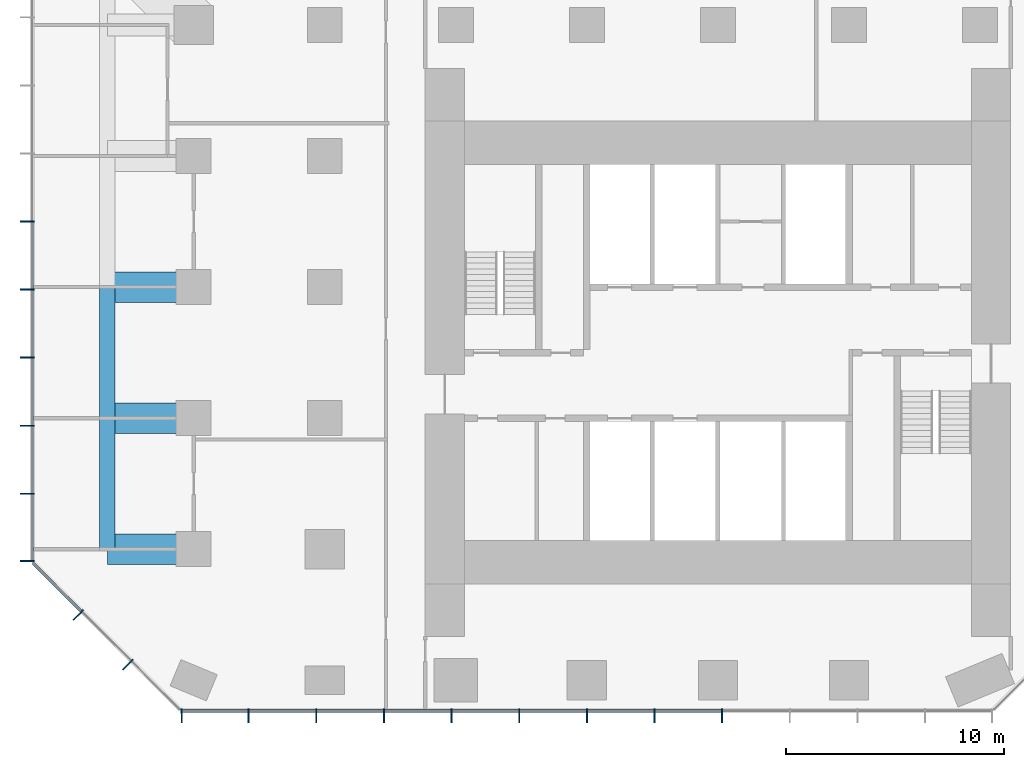
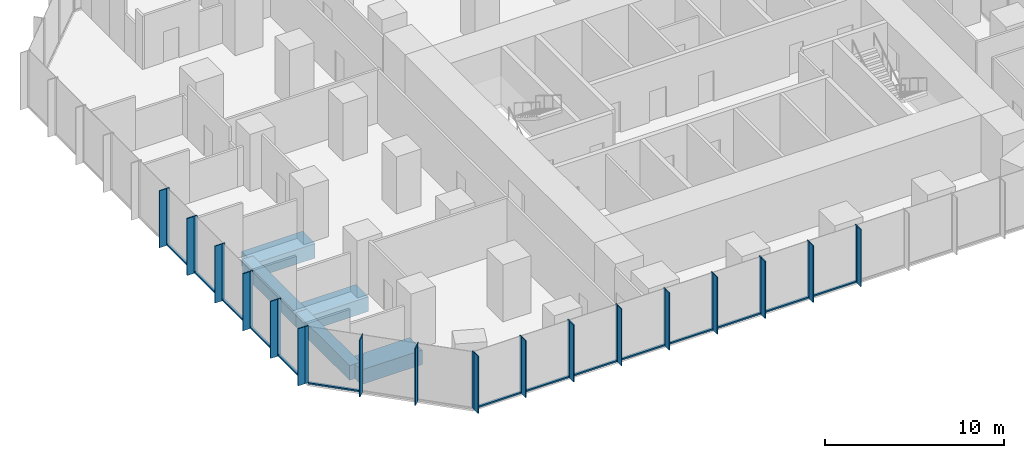
# One storey, part 2 of 11: 48 members, 5 beams, 3 elements without a shape of their own.
"""IFC4 building model written with IfcOpenShell, lengths in metres."""

from ifc_helpers import new_model, si_unit, direction, frame, origin, origin_2d, place, context, subcontext, project, spatial, rectangle, extrude, material, layer, layer_set, material_profile, profile_set, type_object, element, aggregate, save


model = new_model("IFC4")

# Units and contexts
model_context = context("Model", 3, precision=1e-05, world=origin(), true_north=direction((0.0, 1.0)))
body_context = subcontext(model_context, "Body", "Model", "MODEL_VIEW")
ifc_project = project(units=[si_unit("LENGTHUNIT", "METRE"), si_unit("AREAUNIT", "SQUARE_METRE"), si_unit("VOLUMEUNIT", "CUBIC_METRE"), si_unit("PLANEANGLEUNIT", "RADIAN"), si_unit("MASSUNIT", "GRAM", prefix="KILO")], contexts=[model_context])

# Site, building, storey
site_placement = place(None, origin())
site = spatial("IfcSite", under=ifc_project, at=site_placement, CompositionType="ELEMENT")
building_placement = place(site_placement, origin())
building = spatial("IfcBuilding", under=site, at=building_placement, Name="Highveld Stack Headquarters", CompositionType="ELEMENT")
storey_placement = place(building_placement, frame((0.0, 0.0, 105.5)))
storey = spatial("IfcBuildingStorey", under=building, at=storey_placement, Name="L25", CompositionType="ELEMENT", Elevation=105.5)

# Beams
ifc_material_1 = material(Name="Concrete C60/75", Category="concrete")
ifc_material_profile_1 = material_profile(ifc_material_1, rectangle(XDim=1.39990234375, YDim=1.0, at=origin_2d()), Name="RC 1400x1000")
ifc_profile_set_1 = profile_set([ifc_material_profile_1], Name="Concrete C60/75")
beam_type_1 = type_object("IfcBeamType", Name="CANTILEVER RIB RC 1400x1000", PredefinedType="USERDEFINED", material=ifc_profile_set_1)
for number, where, z_axis, x_axis, name in (
    (1, (-18.0, -6.0, -0.75), (-1.0, 0.0, 0.0), (0.0, -1.0, 0.0), "Cantilever rib 3/D L25"),
    (2, (-18.0, 0.0, -0.75), (-1.0, 0.0, 0.0), (0.0, -1.0, 0.0), "Cantilever rib 3/E L25"),
    (3, (-18.0, 6.0, -0.75), (-1.0, 0.0, 0.0), (0.0, -1.0, 0.0), "Cantilever rib 3/F L25"),
):
    element("IfcBeam", number, at=place(storey_placement, frame(where, z_axis=z_axis, x_axis=x_axis)), inside=storey, type_object=beam_type_1, Name=name, ObjectType="CANTILEVER RIB", PredefinedType="USERDEFINED", context=body_context, shape_type="SweptSolid", body=[
        extrude(rectangle(XDim=1.39990234375, YDim=1.0, at=origin_2d()), origin(), (0.0, 0.0, 1.0), 3.949951171875),
    ])

# Curtain wall, members
ifc_material_2 = material(Name="Aluminium bronze anodised", Category="aluminium")
ifc_layer_1 = layer(ifc_material_2, 0.199951171875)
ifc_layer_set_1 = layer_set([ifc_layer_1], Name="Aluminium bronze anodised")
curtain_wall_type_1 = type_object("IfcCurtainWallType", Name="CW1 TOWER UNITISED CURTAIN WALL", PredefinedType="NOTDEFINED", material=ifc_layer_set_1)
curtain_wall_1_placement = place(storey_placement, origin())
curtain_wall_1 = element("IfcCurtainWall", 4, at=curtain_wall_1_placement, inside=storey, type_object=curtain_wall_type_1, Name="Curtain wall CW1 L25 S", PredefinedType="NOTDEFINED")
ifc_material_3 = material(Name="Aluminium bronze anodised", Category="aluminium")
ifc_material_profile_2 = material_profile(ifc_material_3, rectangle(XDim=0.449951171875, YDim=0.06005859375, at=origin_2d()), Name="FIN 450x60")
ifc_profile_set_2 = profile_set([ifc_material_profile_2], Name="Aluminium bronze anodised")
member_type_1 = type_object("IfcMemberType", Name="CW1 BRONZE FIN 450x60", PredefinedType="USERDEFINED", material=ifc_profile_set_2)
member_1_placement = place(storey_placement, frame((-18.54736328125, -13.72509765625, 0.0), z_axis=(0.0, 0.0, 1.0), x_axis=(0.0, 1.0, 0.0)))
member_1 = element("IfcMember", 5, at=member_1_placement, type_object=member_type_1, Name="CW1 fin L25 1", ObjectType="FIN", PredefinedType="USERDEFINED", context=body_context, shape_type="SweptSolid", body=[
    extrude(rectangle(XDim=0.449951171875, YDim=0.06005859375, at=origin_2d()), origin(), (0.0, 0.0, 1.0), 3.89990234375),
])
member_2_placement = place(storey_placement, frame((-15.483154296875, -13.72509765625, 0.0), z_axis=(0.0, 0.0, 1.0), x_axis=(0.0, 1.0, 0.0)))
member_2 = element("IfcMember", 6, at=member_2_placement, type_object=member_type_1, Name="CW1 fin L25 2", ObjectType="FIN", PredefinedType="USERDEFINED", context=body_context, shape_type="SweptSolid", body=[
    extrude(rectangle(XDim=0.449951171875, YDim=0.06005859375, at=origin_2d()), origin(), (0.0, 0.0, 1.0), 3.89990234375),
])
member_3_placement = place(storey_placement, frame((-12.38671875, -13.72509765625, 0.0), z_axis=(0.0, 0.0, 1.0), x_axis=(0.0, 1.0, 0.0)))
member_3 = element("IfcMember", 7, at=member_3_placement, type_object=member_type_1, Name="CW1 fin L25 3", ObjectType="FIN", PredefinedType="USERDEFINED", context=body_context, shape_type="SweptSolid", body=[
    extrude(rectangle(XDim=0.449951171875, YDim=0.06005859375, at=origin_2d()), origin(), (0.0, 0.0, 1.0), 3.89990234375),
])
member_4_placement = place(storey_placement, frame((-9.289794921875, -13.72509765625, 0.0), z_axis=(0.0, 0.0, 1.0), x_axis=(0.0, 1.0, 0.0)))
member_4 = element("IfcMember", 8, at=member_4_placement, type_object=member_type_1, Name="CW1 fin L25 4", ObjectType="FIN", PredefinedType="USERDEFINED", context=body_context, shape_type="SweptSolid", body=[
    extrude(rectangle(XDim=0.449951171875, YDim=0.06005859375, at=origin_2d()), origin(), (0.0, 0.0, 1.0), 3.89990234375),
])
member_5_placement = place(storey_placement, frame((-6.193359375, -13.72509765625, 0.0), z_axis=(0.0, 0.0, 1.0), x_axis=(0.0, 1.0, 0.0)))
member_5 = element("IfcMember", 9, at=member_5_placement, type_object=member_type_1, Name="CW1 fin L25 5", ObjectType="FIN", PredefinedType="USERDEFINED", context=body_context, shape_type="SweptSolid", body=[
    extrude(rectangle(XDim=0.449951171875, YDim=0.06005859375, at=origin_2d()), origin(), (0.0, 0.0, 1.0), 3.89990234375),
])
member_6_placement = place(storey_placement, frame((-3.0966796875, -13.72509765625, 0.0), z_axis=(0.0, 0.0, 1.0), x_axis=(0.0, 1.0, 0.0)))
member_6 = element("IfcMember", 10, at=member_6_placement, type_object=member_type_1, Name="CW1 fin L25 6", ObjectType="FIN", PredefinedType="USERDEFINED", context=body_context, shape_type="SweptSolid", body=[
    extrude(rectangle(XDim=0.449951171875, YDim=0.06005859375, at=origin_2d()), origin(), (0.0, 0.0, 1.0), 3.89990234375),
])
member_7_placement = place(storey_placement, frame((0.0, -13.72509765625, 0.0), z_axis=(0.0, 0.0, 1.0), x_axis=(0.0, 1.0, 0.0)))
member_7 = element("IfcMember", 11, at=member_7_placement, type_object=member_type_1, Name="CW1 fin L25 7", ObjectType="FIN", PredefinedType="USERDEFINED", context=body_context, shape_type="SweptSolid", body=[
    extrude(rectangle(XDim=0.449951171875, YDim=0.06005859375, at=origin_2d()), origin(), (0.0, 0.0, 1.0), 3.89990234375),
])
member_8_placement = place(storey_placement, frame((3.0966796875, -13.72509765625, 0.0), z_axis=(0.0, 0.0, 1.0), x_axis=(0.0, 1.0, 0.0)))
member_8 = element("IfcMember", 12, at=member_8_placement, type_object=member_type_1, Name="CW1 fin L25 8", ObjectType="FIN", PredefinedType="USERDEFINED", context=body_context, shape_type="SweptSolid", body=[
    extrude(rectangle(XDim=0.449951171875, YDim=0.06005859375, at=origin_2d()), origin(), (0.0, 0.0, 1.0), 3.89990234375),
])
member_9_placement = place(storey_placement, frame((6.193359375, -13.72509765625, 0.0), z_axis=(0.0, 0.0, 1.0), x_axis=(0.0, 1.0, 0.0)))
member_9 = element("IfcMember", 13, at=member_9_placement, type_object=member_type_1, Name="CW1 fin L25 9", ObjectType="FIN", PredefinedType="USERDEFINED", context=body_context, shape_type="SweptSolid", body=[
    extrude(rectangle(XDim=0.449951171875, YDim=0.06005859375, at=origin_2d()), origin(), (0.0, 0.0, 1.0), 3.89990234375),
])

curtain_wall_2_placement = place(storey_placement, origin())
curtain_wall_2 = element("IfcCurtainWall", 14, at=curtain_wall_2_placement, inside=storey, type_object=curtain_wall_type_1, Name="Curtain wall CW1 L25 W", PredefinedType="NOTDEFINED")
member_10_placement = place(storey_placement, frame((-25.72509765625, 9.0, 0.0), z_axis=(0.0, 0.0, 1.0), x_axis=(1.0, 0.0, 0.0)))
member_10 = element("IfcMember", 15, at=member_10_placement, type_object=member_type_1, Name="CW1 fin L25 6", ObjectType="FIN", PredefinedType="USERDEFINED", context=body_context, shape_type="SweptSolid", body=[
    extrude(rectangle(XDim=0.449951171875, YDim=0.06005859375, at=origin_2d()), origin(), (0.0, 0.0, 1.0), 3.89990234375),
])
member_11_placement = place(storey_placement, frame((-25.72509765625, 5.884033203125, 0.0), z_axis=(0.0, 0.0, 1.0), x_axis=(1.0, 0.0, 0.0)))
member_11 = element("IfcMember", 16, at=member_11_placement, type_object=member_type_1, Name="CW1 fin L25 7", ObjectType="FIN", PredefinedType="USERDEFINED", context=body_context, shape_type="SweptSolid", body=[
    extrude(rectangle(XDim=0.449951171875, YDim=0.06005859375, at=origin_2d()), origin(), (0.0, 0.0, 1.0), 3.89990234375),
])
member_12_placement = place(storey_placement, frame((-25.72509765625, 2.76806640625, 0.0), z_axis=(0.0, 0.0, 1.0), x_axis=(1.0, 0.0, 0.0)))
member_12 = element("IfcMember", 17, at=member_12_placement, type_object=member_type_1, Name="CW1 fin L25 8", ObjectType="FIN", PredefinedType="USERDEFINED", context=body_context, shape_type="SweptSolid", body=[
    extrude(rectangle(XDim=0.449951171875, YDim=0.06005859375, at=origin_2d()), origin(), (0.0, 0.0, 1.0), 3.89990234375),
])
member_13_placement = place(storey_placement, frame((-25.72509765625, -0.347900390625, 0.0), z_axis=(0.0, 0.0, 1.0), x_axis=(1.0, 0.0, 0.0)))
member_13 = element("IfcMember", 18, at=member_13_placement, type_object=member_type_1, Name="CW1 fin L25 9", ObjectType="FIN", PredefinedType="USERDEFINED", context=body_context, shape_type="SweptSolid", body=[
    extrude(rectangle(XDim=0.449951171875, YDim=0.06005859375, at=origin_2d()), origin(), (0.0, 0.0, 1.0), 3.89990234375),
])
member_14_placement = place(storey_placement, frame((-25.72509765625, -3.4638671875, 0.0), z_axis=(0.0, 0.0, 1.0), x_axis=(1.0, 0.0, 0.0)))
member_14 = element("IfcMember", 19, at=member_14_placement, type_object=member_type_1, Name="CW1 fin L25 10", ObjectType="FIN", PredefinedType="USERDEFINED", context=body_context, shape_type="SweptSolid", body=[
    extrude(rectangle(XDim=0.449951171875, YDim=0.06005859375, at=origin_2d()), origin(), (0.0, 0.0, 1.0), 3.89990234375),
])
member_15_placement = place(storey_placement, frame((-25.72509765625, -6.54736328125, 0.0), z_axis=(0.0, 0.0, 1.0), x_axis=(1.0, 0.0, 0.0)))
member_15 = element("IfcMember", 20, at=member_15_placement, type_object=member_type_1, Name="CW1 fin L25 11", ObjectType="FIN", PredefinedType="USERDEFINED", context=body_context, shape_type="SweptSolid", body=[
    extrude(rectangle(XDim=0.449951171875, YDim=0.06005859375, at=origin_2d()), origin(), (0.0, 0.0, 1.0), 3.89990234375),
])

# Member
ifc_material_4 = material(Name="Aluminium bronze anodised", Category="aluminium")
ifc_material_profile_3 = material_profile(ifc_material_4, rectangle(XDim=0.199951171875, YDim=0.06494140625, at=origin_2d()), Name="CW1 MULLION 65x200")
ifc_profile_set_3 = profile_set([ifc_material_profile_3], Name="Aluminium bronze anodised")
member_type_2 = type_object("IfcMemberType", Name="CW1 MULLION 65x200", PredefinedType="MULLION", material=ifc_profile_set_3)
member_16_placement = place(storey_placement, frame((-18.54736328125, -13.39990234375, 0.0), z_axis=(0.0, 0.0, 1.0), x_axis=(0.0, 1.0, 0.0)))
member_16 = element("IfcMember", 21, at=member_16_placement, type_object=member_type_2, Name="CW1 mullion L25 1", PredefinedType="MULLION", context=body_context, shape_type="SweptSolid", body=[
    extrude(rectangle(XDim=0.199951171875, YDim=0.06494140625, at=origin_2d()), origin(), (0.0, 0.0, 1.0), 3.89990234375),
])

member_17_placement = place(storey_placement, frame((-15.483154296875, -13.39990234375, 0.0), z_axis=(0.0, 0.0, 1.0), x_axis=(0.0, 1.0, 0.0)))
member_17 = element("IfcMember", 22, at=member_17_placement, type_object=member_type_2, Name="CW1 mullion L25 2", PredefinedType="MULLION", context=body_context, shape_type="SweptSolid", body=[
    extrude(rectangle(XDim=0.199951171875, YDim=0.06494140625, at=origin_2d()), origin(), (0.0, 0.0, 1.0), 3.89990234375),
])

member_18_placement = place(storey_placement, frame((-12.38671875, -13.39990234375, 0.0), z_axis=(0.0, 0.0, 1.0), x_axis=(0.0, 1.0, 0.0)))
member_18 = element("IfcMember", 23, at=member_18_placement, type_object=member_type_2, Name="CW1 mullion L25 3", PredefinedType="MULLION", context=body_context, shape_type="SweptSolid", body=[
    extrude(rectangle(XDim=0.199951171875, YDim=0.06494140625, at=origin_2d()), origin(), (0.0, 0.0, 1.0), 3.89990234375),
])

member_19_placement = place(storey_placement, frame((-9.289794921875, -13.39990234375, 0.0), z_axis=(0.0, 0.0, 1.0), x_axis=(0.0, 1.0, 0.0)))
member_19 = element("IfcMember", 24, at=member_19_placement, type_object=member_type_2, Name="CW1 mullion L25 4", PredefinedType="MULLION", context=body_context, shape_type="SweptSolid", body=[
    extrude(rectangle(XDim=0.199951171875, YDim=0.06494140625, at=origin_2d()), origin(), (0.0, 0.0, 1.0), 3.89990234375),
])

member_20_placement = place(storey_placement, frame((-6.193359375, -13.39990234375, 0.0), z_axis=(0.0, 0.0, 1.0), x_axis=(0.0, 1.0, 0.0)))
member_20 = element("IfcMember", 25, at=member_20_placement, type_object=member_type_2, Name="CW1 mullion L25 5", PredefinedType="MULLION", context=body_context, shape_type="SweptSolid", body=[
    extrude(rectangle(XDim=0.199951171875, YDim=0.06494140625, at=origin_2d()), origin(), (0.0, 0.0, 1.0), 3.89990234375),
])

member_21_placement = place(storey_placement, frame((-3.0966796875, -13.39990234375, 0.0), z_axis=(0.0, 0.0, 1.0), x_axis=(0.0, 1.0, 0.0)))
member_21 = element("IfcMember", 26, at=member_21_placement, type_object=member_type_2, Name="CW1 mullion L25 6", PredefinedType="MULLION", context=body_context, shape_type="SweptSolid", body=[
    extrude(rectangle(XDim=0.199951171875, YDim=0.06494140625, at=origin_2d()), origin(), (0.0, 0.0, 1.0), 3.89990234375),
])

member_22_placement = place(storey_placement, frame((0.0, -13.39990234375, 0.0), z_axis=(0.0, 0.0, 1.0), x_axis=(0.0, 1.0, 0.0)))
member_22 = element("IfcMember", 27, at=member_22_placement, type_object=member_type_2, Name="CW1 mullion L25 7", PredefinedType="MULLION", context=body_context, shape_type="SweptSolid", body=[
    extrude(rectangle(XDim=0.199951171875, YDim=0.06494140625, at=origin_2d()), origin(), (0.0, 0.0, 1.0), 3.89990234375),
])

member_23_placement = place(storey_placement, frame((3.0966796875, -13.39990234375, 0.0), z_axis=(0.0, 0.0, 1.0), x_axis=(0.0, 1.0, 0.0)))
member_23 = element("IfcMember", 28, at=member_23_placement, type_object=member_type_2, Name="CW1 mullion L25 8", PredefinedType="MULLION", context=body_context, shape_type="SweptSolid", body=[
    extrude(rectangle(XDim=0.199951171875, YDim=0.06494140625, at=origin_2d()), origin(), (0.0, 0.0, 1.0), 3.89990234375),
])

member_24_placement = place(storey_placement, frame((6.193359375, -13.39990234375, 0.0), z_axis=(0.0, 0.0, 1.0), x_axis=(0.0, 1.0, 0.0)))
member_24 = element("IfcMember", 29, at=member_24_placement, type_object=member_type_2, Name="CW1 mullion L25 9", PredefinedType="MULLION", context=body_context, shape_type="SweptSolid", body=[
    extrude(rectangle(XDim=0.199951171875, YDim=0.06494140625, at=origin_2d()), origin(), (0.0, 0.0, 1.0), 3.89990234375),
])

member_25_placement = place(storey_placement, frame((-25.39990234375, 9.0, 0.0), z_axis=(0.0, 0.0, 1.0), x_axis=(1.0, 0.0, 0.0)))
member_25 = element("IfcMember", 30, at=member_25_placement, type_object=member_type_2, Name="CW1 mullion L25 6", PredefinedType="MULLION", context=body_context, shape_type="SweptSolid", body=[
    extrude(rectangle(XDim=0.199951171875, YDim=0.06494140625, at=origin_2d()), origin(), (0.0, 0.0, 1.0), 3.89990234375),
])

member_26_placement = place(storey_placement, frame((-25.39990234375, 5.884033203125, 0.0), z_axis=(0.0, 0.0, 1.0), x_axis=(1.0, 0.0, 0.0)))
member_26 = element("IfcMember", 31, at=member_26_placement, type_object=member_type_2, Name="CW1 mullion L25 7", PredefinedType="MULLION", context=body_context, shape_type="SweptSolid", body=[
    extrude(rectangle(XDim=0.199951171875, YDim=0.06494140625, at=origin_2d()), origin(), (0.0, 0.0, 1.0), 3.89990234375),
])

member_27_placement = place(storey_placement, frame((-25.39990234375, 2.76806640625, 0.0), z_axis=(0.0, 0.0, 1.0), x_axis=(1.0, 0.0, 0.0)))
member_27 = element("IfcMember", 32, at=member_27_placement, type_object=member_type_2, Name="CW1 mullion L25 8", PredefinedType="MULLION", context=body_context, shape_type="SweptSolid", body=[
    extrude(rectangle(XDim=0.199951171875, YDim=0.06494140625, at=origin_2d()), origin(), (0.0, 0.0, 1.0), 3.89990234375),
])

member_28_placement = place(storey_placement, frame((-25.39990234375, -0.347900390625, 0.0), z_axis=(0.0, 0.0, 1.0), x_axis=(1.0, 0.0, 0.0)))
member_28 = element("IfcMember", 33, at=member_28_placement, type_object=member_type_2, Name="CW1 mullion L25 9", PredefinedType="MULLION", context=body_context, shape_type="SweptSolid", body=[
    extrude(rectangle(XDim=0.199951171875, YDim=0.06494140625, at=origin_2d()), origin(), (0.0, 0.0, 1.0), 3.89990234375),
])

member_29_placement = place(storey_placement, frame((-25.39990234375, -3.4638671875, 0.0), z_axis=(0.0, 0.0, 1.0), x_axis=(1.0, 0.0, 0.0)))
member_29 = element("IfcMember", 34, at=member_29_placement, type_object=member_type_2, Name="CW1 mullion L25 10", PredefinedType="MULLION", context=body_context, shape_type="SweptSolid", body=[
    extrude(rectangle(XDim=0.199951171875, YDim=0.06494140625, at=origin_2d()), origin(), (0.0, 0.0, 1.0), 3.89990234375),
])

member_30_placement = place(storey_placement, frame((-25.39990234375, -6.54736328125, 0.0), z_axis=(0.0, 0.0, 1.0), x_axis=(1.0, 0.0, 0.0)))
member_30 = element("IfcMember", 35, at=member_30_placement, type_object=member_type_2, Name="CW1 mullion L25 11", PredefinedType="MULLION", context=body_context, shape_type="SweptSolid", body=[
    extrude(rectangle(XDim=0.199951171875, YDim=0.06494140625, at=origin_2d()), origin(), (0.0, 0.0, 1.0), 3.89990234375),
])

ifc_material_5 = material(Name="Aluminium bronze anodised", Category="aluminium")
ifc_material_profile_4 = material_profile(ifc_material_5, rectangle(XDim=0.14990234375, YDim=0.10009765625, at=origin_2d()), Name="CW1 TRANSOM 150x100")
ifc_profile_set_4 = profile_set([ifc_material_profile_4], Name="Aluminium bronze anodised")
member_type_3 = type_object("IfcMemberType", Name="CW1 STACK TRANSOM 150x100", PredefinedType="USERDEFINED", material=ifc_profile_set_4)
member_31_placement = place(storey_placement, frame((-18.514892578125, -13.39990234375, 0.050048828125), z_axis=(1.0, 0.0, 0.0), x_axis=(0.0, 1.0, 0.0)))
member_31 = element("IfcMember", 36, at=member_31_placement, type_object=member_type_3, Name="CW1 transom L25 1.1", ObjectType="TRANSOM", PredefinedType="USERDEFINED", context=body_context, shape_type="SweptSolid", body=[
    extrude(rectangle(XDim=0.14990234375, YDim=0.10009765625, at=origin_2d()), origin(), (0.0, 0.0, 1.0), 2.999267578125),
])

member_32_placement = place(storey_placement, frame((-15.45068359375, -13.39990234375, 0.050048828125), z_axis=(1.0, 0.0, 0.0), x_axis=(0.0, 1.0, 0.0)))
member_32 = element("IfcMember", 37, at=member_32_placement, type_object=member_type_3, Name="CW1 transom L25 2.1", ObjectType="TRANSOM", PredefinedType="USERDEFINED", context=body_context, shape_type="SweptSolid", body=[
    extrude(rectangle(XDim=0.14990234375, YDim=0.10009765625, at=origin_2d()), origin(), (0.0, 0.0, 1.0), 3.031494140625),
])

member_33_placement = place(storey_placement, frame((-12.35400390625, -13.39990234375, 0.050048828125), z_axis=(1.0, 0.0, 0.0), x_axis=(0.0, 1.0, 0.0)))
member_33 = element("IfcMember", 38, at=member_33_placement, type_object=member_type_3, Name="CW1 transom L25 3.1", ObjectType="TRANSOM", PredefinedType="USERDEFINED", context=body_context, shape_type="SweptSolid", body=[
    extrude(rectangle(XDim=0.14990234375, YDim=0.10009765625, at=origin_2d()), origin(), (0.0, 0.0, 1.0), 3.031494140625),
])

member_34_placement = place(storey_placement, frame((-9.25732421875, -13.39990234375, 0.050048828125), z_axis=(1.0, 0.0, 0.0), x_axis=(0.0, 1.0, 0.0)))
member_34 = element("IfcMember", 39, at=member_34_placement, type_object=member_type_3, Name="CW1 transom L25 4.1", ObjectType="TRANSOM", PredefinedType="USERDEFINED", context=body_context, shape_type="SweptSolid", body=[
    extrude(rectangle(XDim=0.14990234375, YDim=0.10009765625, at=origin_2d()), origin(), (0.0, 0.0, 1.0), 3.031494140625),
])

member_35_placement = place(storey_placement, frame((-6.160888671875, -13.39990234375, 0.050048828125), z_axis=(1.0, 0.0, 0.0), x_axis=(0.0, 1.0, 0.0)))
member_35 = element("IfcMember", 40, at=member_35_placement, type_object=member_type_3, Name="CW1 transom L25 5.1", ObjectType="TRANSOM", PredefinedType="USERDEFINED", context=body_context, shape_type="SweptSolid", body=[
    extrude(rectangle(XDim=0.14990234375, YDim=0.10009765625, at=origin_2d()), origin(), (0.0, 0.0, 1.0), 3.03173828125),
])

member_36_placement = place(storey_placement, frame((-3.064208984375, -13.39990234375, 0.050048828125), z_axis=(1.0, 0.0, 0.0), x_axis=(0.0, 1.0, 0.0)))
member_36 = element("IfcMember", 41, at=member_36_placement, type_object=member_type_3, Name="CW1 transom L25 6.1", ObjectType="TRANSOM", PredefinedType="USERDEFINED", context=body_context, shape_type="SweptSolid", body=[
    extrude(rectangle(XDim=0.14990234375, YDim=0.10009765625, at=origin_2d()), origin(), (0.0, 0.0, 1.0), 3.03173828125),
])

member_37_placement = place(storey_placement, frame((0.032470703125, -13.39990234375, 0.050048828125), z_axis=(1.0, 0.0, 0.0), x_axis=(0.0, 1.0, 0.0)))
member_37 = element("IfcMember", 42, at=member_37_placement, type_object=member_type_3, Name="CW1 transom L25 7.1", ObjectType="TRANSOM", PredefinedType="USERDEFINED", context=body_context, shape_type="SweptSolid", body=[
    extrude(rectangle(XDim=0.14990234375, YDim=0.10009765625, at=origin_2d()), origin(), (0.0, 0.0, 1.0), 3.03173828125),
])

member_38_placement = place(storey_placement, frame((3.129150390625, -13.39990234375, 0.050048828125), z_axis=(1.0, 0.0, 0.0), x_axis=(0.0, 1.0, 0.0)))
member_38 = element("IfcMember", 43, at=member_38_placement, type_object=member_type_3, Name="CW1 transom L25 8.1", ObjectType="TRANSOM", PredefinedType="USERDEFINED", context=body_context, shape_type="SweptSolid", body=[
    extrude(rectangle(XDim=0.14990234375, YDim=0.10009765625, at=origin_2d()), origin(), (0.0, 0.0, 1.0), 3.03173828125),
])

aggregate(curtain_wall_1, [member_16, member_1, member_17, member_2, member_18, member_3, member_19, member_4, member_20, member_5, member_21, member_6, member_22, member_7, member_23, member_8, member_24, member_9, member_31, member_32, member_33, member_34, member_35, member_36, member_37, member_38])

member_39_placement = place(storey_placement, frame((-25.39990234375, 8.967529296875, 0.050048828125), z_axis=(0.0, -1.0, 0.0), x_axis=(1.0, 0.0, 0.0)))
member_39 = element("IfcMember", 44, at=member_39_placement, type_object=member_type_3, Name="CW1 transom L25 6.1", ObjectType="TRANSOM", PredefinedType="USERDEFINED", context=body_context, shape_type="SweptSolid", body=[
    extrude(rectangle(XDim=0.14990234375, YDim=0.10009765625, at=origin_2d()), origin(), (0.0, 0.0, 1.0), 3.051025390625),
])

member_40_placement = place(storey_placement, frame((-25.39990234375, 5.8515625, 0.050048828125), z_axis=(0.0, -1.0, 0.0), x_axis=(1.0, 0.0, 0.0)))
member_40 = element("IfcMember", 45, at=member_40_placement, type_object=member_type_3, Name="CW1 transom L25 7.1", ObjectType="TRANSOM", PredefinedType="USERDEFINED", context=body_context, shape_type="SweptSolid", body=[
    extrude(rectangle(XDim=0.14990234375, YDim=0.10009765625, at=origin_2d()), origin(), (0.0, 0.0, 1.0), 3.051025390625),
])

member_41_placement = place(storey_placement, frame((-25.39990234375, 2.735595703125, 0.050048828125), z_axis=(0.0, -1.0, 0.0), x_axis=(1.0, 0.0, 0.0)))
member_41 = element("IfcMember", 46, at=member_41_placement, type_object=member_type_3, Name="CW1 transom L25 8.1", ObjectType="TRANSOM", PredefinedType="USERDEFINED", context=body_context, shape_type="SweptSolid", body=[
    extrude(rectangle(XDim=0.14990234375, YDim=0.10009765625, at=origin_2d()), origin(), (0.0, 0.0, 1.0), 3.051025390625),
])

member_42_placement = place(storey_placement, frame((-25.39990234375, -0.38037109375, 0.050048828125), z_axis=(0.0, -1.0, 0.0), x_axis=(1.0, 0.0, 0.0)))
member_42 = element("IfcMember", 47, at=member_42_placement, type_object=member_type_3, Name="CW1 transom L25 9.1", ObjectType="TRANSOM", PredefinedType="USERDEFINED", context=body_context, shape_type="SweptSolid", body=[
    extrude(rectangle(XDim=0.14990234375, YDim=0.10009765625, at=origin_2d()), origin(), (0.0, 0.0, 1.0), 3.051025390625),
])

member_43_placement = place(storey_placement, frame((-25.39990234375, -3.496337890625, 0.050048828125), z_axis=(0.0, -1.0, 0.0), x_axis=(1.0, 0.0, 0.0)))
member_43 = element("IfcMember", 48, at=member_43_placement, type_object=member_type_3, Name="CW1 transom L25 10.1", ObjectType="TRANSOM", PredefinedType="USERDEFINED", context=body_context, shape_type="SweptSolid", body=[
    extrude(rectangle(XDim=0.14990234375, YDim=0.10009765625, at=origin_2d()), origin(), (0.0, 0.0, 1.0), 3.0185546875),
])

aggregate(curtain_wall_2, [member_25, member_10, member_26, member_11, member_27, member_12, member_28, member_13, member_29, member_14, member_30, member_15, member_39, member_40, member_41, member_42, member_43])

# Curtain wall, members
ifc_material_6 = material(Name="Aluminium bronze anodised", Category="aluminium")
ifc_layer_2 = layer(ifc_material_6, 0.199951171875)
ifc_layer_set_2 = layer_set([ifc_layer_2], Name="Aluminium bronze anodised")
curtain_wall_type_2 = type_object("IfcCurtainWallType", Name="CW2 TOWER CHAMFER UNITISED CURTAIN WALL", PredefinedType="NOTDEFINED", material=ifc_layer_set_2)
curtain_wall_3_placement = place(storey_placement, origin())
curtain_wall_3 = element("IfcCurtainWall", 49, at=curtain_wall_3_placement, inside=storey, type_object=curtain_wall_type_2, Name="Curtain wall CW2 L25 SW", PredefinedType="NOTDEFINED")
ifc_material_7 = material(Name="Aluminium bronze anodised", Category="aluminium")
ifc_material_profile_5 = material_profile(ifc_material_7, rectangle(XDim=0.449951171875, YDim=0.06005859375, at=origin_2d()), Name="FIN 450x60")
ifc_profile_set_5 = profile_set([ifc_material_profile_5], Name="Aluminium bronze anodised")
member_type_4 = type_object("IfcMemberType", Name="CW2 BRONZE FIN 450x60", PredefinedType="USERDEFINED", material=ifc_profile_set_5)
member_44_placement = place(storey_placement, frame((-23.3564453125, -9.0830078125, 0.0), z_axis=(0.0, 0.0, 1.0), x_axis=(0.707106781187, 0.707106781187, 0.0)))
member_44 = element("IfcMember", 50, at=member_44_placement, type_object=member_type_4, Name="CW2 fin L25 1", ObjectType="FIN", PredefinedType="USERDEFINED", context=body_context, shape_type="SweptSolid", body=[
    extrude(rectangle(XDim=0.449951171875, YDim=0.06005859375, at=origin_2d()), origin(), (0.0, 0.0, 1.0), 3.89990234375),
])
member_45_placement = place(storey_placement, frame((-21.0830078125, -11.3564453125, 0.0), z_axis=(0.0, 0.0, 1.0), x_axis=(0.707106781187, 0.707106781187, 0.0)))
member_45 = element("IfcMember", 51, at=member_45_placement, type_object=member_type_4, Name="CW2 fin L25 2", ObjectType="FIN", PredefinedType="USERDEFINED", context=body_context, shape_type="SweptSolid", body=[
    extrude(rectangle(XDim=0.449951171875, YDim=0.06005859375, at=origin_2d()), origin(), (0.0, 0.0, 1.0), 3.89990234375),
])
ifc_material_8 = material(Name="Aluminium bronze anodised", Category="aluminium")
ifc_material_profile_6 = material_profile(ifc_material_8, rectangle(XDim=0.199951171875, YDim=0.06494140625, at=origin_2d()), Name="CW2 MULLION 65x200")
ifc_profile_set_6 = profile_set([ifc_material_profile_6], Name="Aluminium bronze anodised")
member_type_5 = type_object("IfcMemberType", Name="CW2 MULLION 65x200", PredefinedType="MULLION", material=ifc_profile_set_6)
member_46_placement = place(storey_placement, frame((-23.126708984375, -8.853271484375, 0.0), z_axis=(0.0, 0.0, 1.0), x_axis=(0.707106781187, 0.707106781187, 0.0)))
member_46 = element("IfcMember", 52, at=member_46_placement, type_object=member_type_5, Name="CW2 mullion L25 1", PredefinedType="MULLION", context=body_context, shape_type="SweptSolid", body=[
    extrude(rectangle(XDim=0.199951171875, YDim=0.06494140625, at=origin_2d()), origin(), (0.0, 0.0, 1.0), 3.89990234375),
])
member_47_placement = place(storey_placement, frame((-20.853271484375, -11.126708984375, 0.0), z_axis=(0.0, 0.0, 1.0), x_axis=(0.707106781187, 0.707106781187, 0.0)))
member_47 = element("IfcMember", 53, at=member_47_placement, type_object=member_type_5, Name="CW2 mullion L25 2", PredefinedType="MULLION", context=body_context, shape_type="SweptSolid", body=[
    extrude(rectangle(XDim=0.199951171875, YDim=0.06494140625, at=origin_2d()), origin(), (0.0, 0.0, 1.0), 3.89990234375),
])
ifc_material_9 = material(Name="Aluminium bronze anodised", Category="aluminium")
ifc_material_profile_7 = material_profile(ifc_material_9, rectangle(XDim=0.14990234375, YDim=0.10009765625, at=origin_2d()), Name="CW2 TRANSOM 150x100")
ifc_profile_set_7 = profile_set([ifc_material_profile_7], Name="Aluminium bronze anodised")
member_type_6 = type_object("IfcMemberType", Name="CW2 STACK TRANSOM 150x100", PredefinedType="USERDEFINED", material=ifc_profile_set_7)
member_48_placement = place(storey_placement, frame((-25.329345703125, -6.650634765625, 0.050048828125), z_axis=(0.707106781187, -0.707106781187, 0.0), x_axis=(0.707106781187, 0.707106781187, 0.0)))
member_48 = element("IfcMember", 54, at=member_48_placement, type_object=member_type_6, Name="CW2 transom L25 1.1", ObjectType="TRANSOM", PredefinedType="USERDEFINED", context=body_context, shape_type="SweptSolid", body=[
    extrude(rectangle(XDim=0.14990234375, YDim=0.10009765625, at=origin_2d()), origin(), (0.0, 0.0, 1.0), 3.08251953125),
])
aggregate(curtain_wall_3, [member_46, member_44, member_47, member_45, member_48])

# Beams
ifc_material_10 = material(Name="Concrete C60/75", Category="concrete")
ifc_material_profile_8 = material_profile(ifc_material_10, rectangle(XDim=0.699951171875, YDim=1.0, at=origin_2d()), Name="RC 700x1000")
ifc_profile_set_8 = profile_set([ifc_material_profile_8], Name="Concrete C60/75")
beam_type_2 = type_object("IfcBeamType", Name="RIB TIP BEAM RC 700x1000", PredefinedType="SPANDREL", material=ifc_profile_set_8)
for number, where, z_axis, x_axis, name in (
    (55, (-21.949951171875, -6.0, -0.75), (0.0, 1.0, 0.0), (-1.0, 0.0, 0.0), "Rib tip beam 3/D to 3/E L25"),
    (56, (-21.949951171875, 0.0, -0.75), (0.0, 1.0, 0.0), (-1.0, 0.0, 0.0), "Rib tip beam 3/E to 3/F L25"),
):
    element("IfcBeam", number, at=place(storey_placement, frame(where, z_axis=z_axis, x_axis=x_axis)), inside=storey, type_object=beam_type_2, Name=name, PredefinedType="SPANDREL", context=body_context, shape_type="SweptSolid", body=[
        extrude(rectangle(XDim=0.699951171875, YDim=1.0, at=origin_2d()), origin(), (0.0, 0.0, 1.0), 6.0),
    ])

save(model, "model.ifc")
